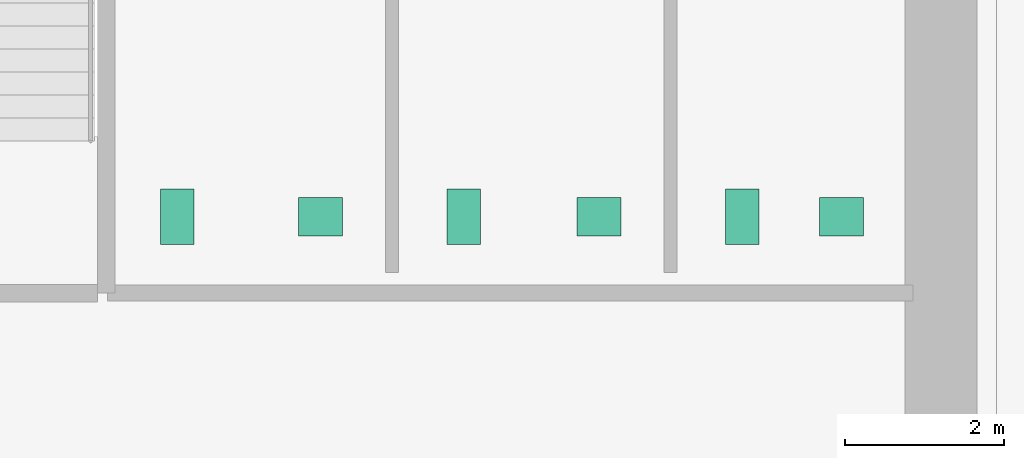
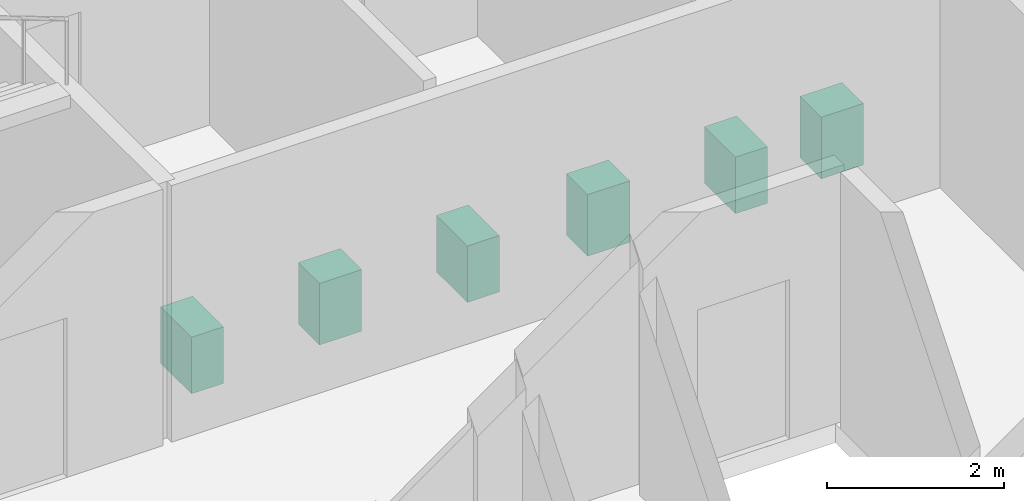
# One storey, part 15 of 15: 6 sanitary terminals.
"""IFC4 building model written with IfcOpenShell, lengths in metres."""

from ifc_helpers import new_model, si_unit, direction, frame, origin, origin_2d, place, context, subcontext, project, spatial, rectangle, extrude, material, type_object, element, save


model = new_model("IFC4")

# Units and contexts
model_context = context("Model", 3, precision=1e-05, world=origin(), true_north=direction((0.0, 1.0)))
body_context = subcontext(model_context, "Body", "Model", "MODEL_VIEW")
ifc_project = project(units=[si_unit("LENGTHUNIT", "METRE"), si_unit("AREAUNIT", "SQUARE_METRE"), si_unit("VOLUMEUNIT", "CUBIC_METRE"), si_unit("PLANEANGLEUNIT", "RADIAN"), si_unit("MASSUNIT", "GRAM", prefix="KILO")], contexts=[model_context])

# Site, building, storey
site_placement = place(None, origin())
site = spatial("IfcSite", under=ifc_project, at=site_placement, CompositionType="ELEMENT")
building_placement = place(site_placement, origin())
building = spatial("IfcBuilding", under=site, at=building_placement, Name="Norrvale University Quadrangle", CompositionType="ELEMENT")
storey_placement = place(building_placement, frame((0.0, 0.0, 88.800048828125)))
storey = spatial("IfcBuildingStorey", under=building, at=storey_placement, Name="L22", CompositionType="ELEMENT", Elevation=88.800048828125)

# Sanitary terminals
ifc_material = material(Name="Vitreous China Sanitaryware")
sanitary_terminal_type_1 = type_object("IfcSanitaryTerminalType", Name="Sanitary Wash Basin", PredefinedType="WASHHANDBASIN", material=ifc_material)
for number, where, z_axis, x_axis, name in (
    (1, (9.0, 41.10009765625, 0.0), (0.0, 0.0, 1.0), (1.0, 0.0, 0.0), "Accessible Countertop Washbasin L22-1"),
    (2, (12.5, 41.10009765625, 0.0), (0.0, 0.0, 1.0), (1.0, 0.0, 0.0), "Accessible Countertop Washbasin L22-2"),
    (3, (15.550048828125, 41.10009765625, 0.0), (0.0, 0.0, 1.0), (1.0, 0.0, 0.0), "Accessible Countertop Washbasin L22-3"),
):
    element("IfcSanitaryTerminal", number, at=place(storey_placement, frame(where, z_axis=z_axis, x_axis=x_axis)), inside=storey, type_object=sanitary_terminal_type_1, Name=name, PredefinedType="WASHHANDBASIN", context=body_context, shape_type="SweptSolid", body=[
        extrude(rectangle(XDim=0.550048828125, YDim=0.47998046875, at=origin_2d()), origin(), (0.0, 0.0, 1.0), 0.85009765625),
    ])
sanitary_terminal_type_2 = type_object("IfcSanitaryTerminalType", Name="Sanitary Water Closet", PredefinedType="TOILETPAN", material=ifc_material)
for number, where, z_axis, x_axis, name in (
    (4, (7.199951171875, 41.10009765625, 0.0), (0.0, 0.0, 1.0), (1.0, 0.0, 0.0), "Wall-Hung Water Closet L22-1"),
    (5, (10.800048828125, 41.10009765625, 0.0), (0.0, 0.0, 1.0), (1.0, 0.0, 0.0), "Wall-Hung Water Closet L22-2"),
    (6, (14.300048828125, 41.10009765625, 0.0), (0.0, 0.0, 1.0), (1.0, 0.0, 0.0), "Wall-Hung Water Closet L22-3"),
):
    element("IfcSanitaryTerminal", number, at=place(storey_placement, frame(where, z_axis=z_axis, x_axis=x_axis)), inside=storey, type_object=sanitary_terminal_type_2, Name=name, PredefinedType="TOILETPAN", context=body_context, shape_type="SweptSolid", body=[
        extrude(rectangle(XDim=0.419921875, YDim=0.699951171875, at=origin_2d()), origin(), (0.0, 0.0, 1.0), 0.780029296875),
    ])

save(model, "model.ifc")
